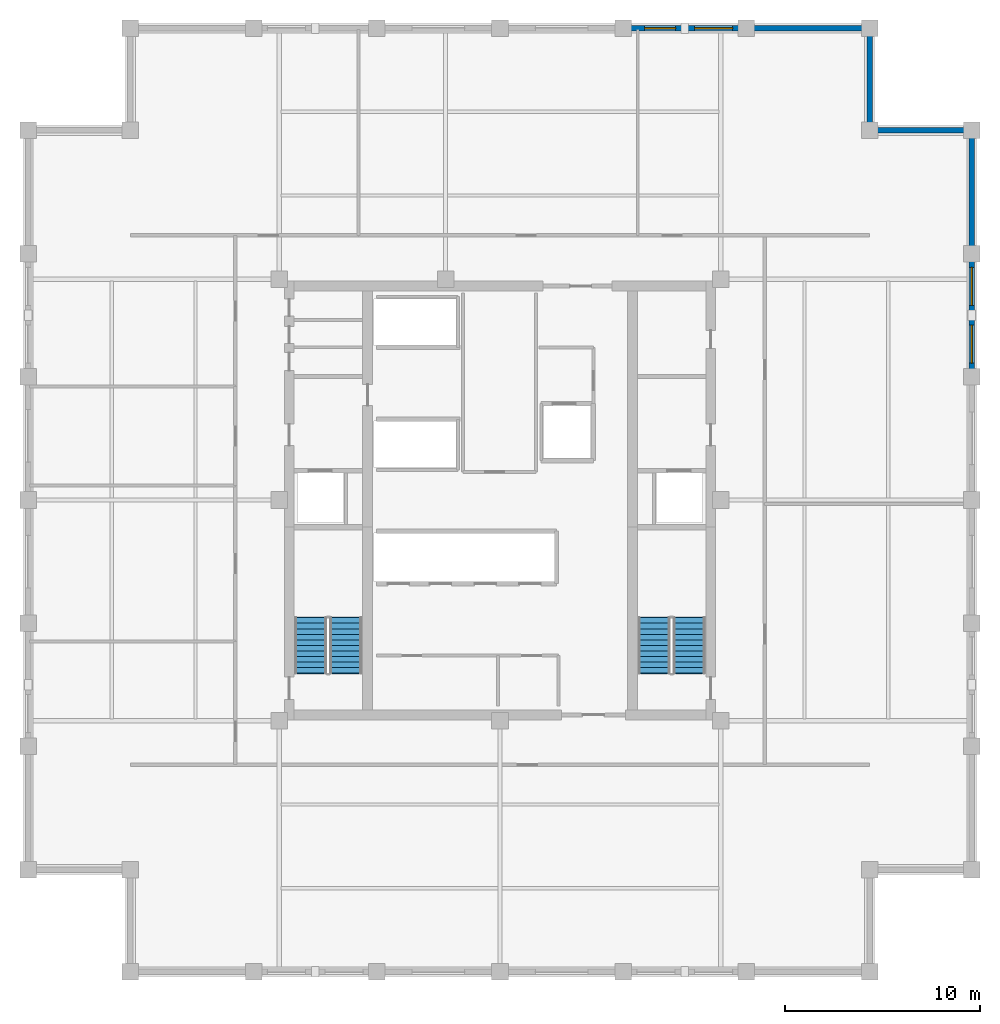
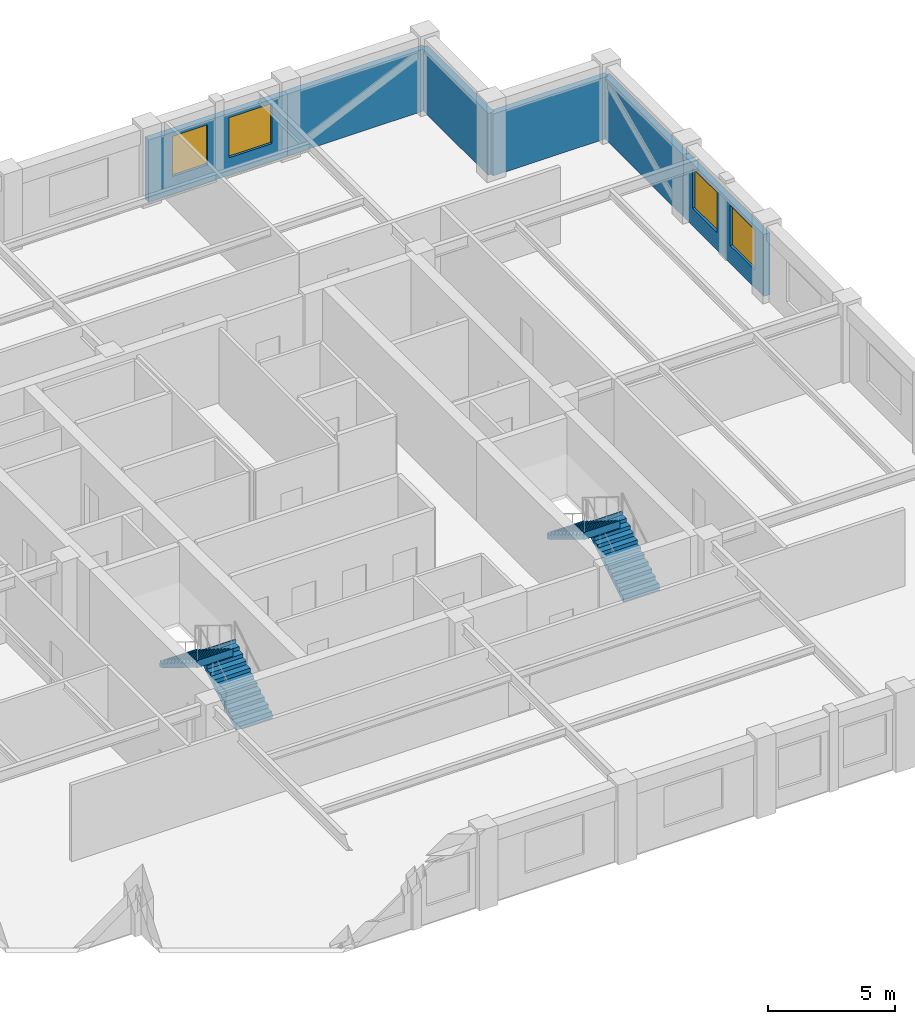
# One storey, part 5 of 6: 6 walls, 4 stair flights, 4 windows, 4 openings, 2 elements without a shape of their own.
"""IFC4 building model written with IfcOpenShell, lengths in metres."""

from ifc_helpers import new_model, si_unit, direction, frame, frame_2d, origin, place, context, subcontext, project, spatial, polyline, rectangle, outline, extrude, material, layer, layer_set, type_object, element, fill, aggregate, save


model = new_model("IFC4")

# Units and contexts
model_context = context("Model", 3, precision=1e-05, world=origin(), true_north=direction((0.0, 1.0)))
body_context = subcontext(model_context, "Body", "Model", "MODEL_VIEW")
ifc_project = project(units=[si_unit("LENGTHUNIT", "METRE"), si_unit("AREAUNIT", "SQUARE_METRE"), si_unit("VOLUMEUNIT", "CUBIC_METRE"), si_unit("PLANEANGLEUNIT", "RADIAN"), si_unit("MASSUNIT", "GRAM", prefix="KILO")], contexts=[model_context])

# Site, building, storey
site_placement = place(None, origin())
site = spatial("IfcSite", under=ifc_project, at=site_placement, CompositionType="ELEMENT")
building_placement = place(site_placement, origin())
building = spatial("IfcBuilding", under=site, at=building_placement, Name="Nhamokura Convention Tower", CompositionType="ELEMENT")
storey_placement = place(building_placement, frame((0.0, 0.0, 194.60009765625)))
storey = spatial("IfcBuildingStorey", under=building, at=storey_placement, Name="L47", CompositionType="ELEMENT", Elevation=194.60009765625)

# Wall, openings, windows
ifc_material_1 = material(Name="Bronze-pigmented precast concrete C45/55", Category="concrete")
ifc_layer = layer(ifc_material_1, 0.280029296875)
ifc_layer_set = layer_set([ifc_layer], Name="BronzePrecastSpandrel_280")
wall_type = type_object("IfcWallType", Name="BronzePrecastSpandrel_280", PredefinedType="USERDEFINED", material=ifc_layer_set)
wall_1_placement = place(storey_placement, frame((38.333251953125, 56.25, 0.0), z_axis=(0.0, 0.0, 1.0), x_axis=(1.0, 0.0, 0.0)))
wall_1 = element("IfcWall", 1, at=wall_1_placement, inside=storey, type_object=wall_type, Name="L47 Masonry-Frame Wall NORTH 4", ObjectType="SPANDREL_WALL", PredefinedType="USERDEFINED", context=body_context, shape_type="SweptSolid", body=[
    extrude(rectangle(XDim=6.33349609375, YDim=0.280029296875, at=frame_2d((3.166748046875, 0.0))), origin(), (0.0, 0.0, 1.0), 2.98486328125),
])
opening_1_placement = place(wall_1_placement, frame((1.095703125, 0.0, 0.85009765625)))
opening_1 = element("IfcOpeningElement", 2, at=opening_1_placement, cuts=wall_1, Name="Opening W-11", PredefinedType="OPENING", context=body_context, shape_type="SweptSolid", body=[
    extrude(rectangle(XDim=1.60009765625, YDim=1.93505859375, at=frame_2d((0.800048828125, 0.967529296875))), frame((0.0, 0.14990234375, 0.0), z_axis=(0.0, -1.0, 0.0), x_axis=(1.0, 0.0, 0.0)), (0.0, 0.0, 1.0), 0.300048828125),
])
opening_2_placement = place(wall_1_placement, frame((3.675048828125, 0.0, 0.85009765625)))
opening_2 = element("IfcOpeningElement", 3, at=opening_2_placement, cuts=wall_1, Name="Opening W-08", PredefinedType="OPENING", context=body_context, shape_type="SweptSolid", body=[
    extrude(rectangle(XDim=1.949951171875, YDim=1.93505859375, at=frame_2d((0.97509765625, 0.967529296875))), frame((0.0, 0.14990234375, 0.0), z_axis=(0.0, -1.0, 0.0), x_axis=(1.0, 0.0, 0.0)), (0.0, 0.0, 1.0), 0.300048828125),
])
ifc_material_2 = material(Name="Solar-control bronze low-E double glass", Category="glass")
window_type_1 = type_object("IfcWindowType", Name="NotchCornerWindow_1600", PartitioningType="SINGLE_PANEL", PredefinedType="WINDOW", material=ifc_material_2)
window_1_placement = place(opening_1_placement, origin())
window_1 = element("IfcWindow", 4, at=window_1_placement, inside=storey, type_object=window_type_1, Name="L47 Facade Window NORTH 4-1", OverallHeight=1.93505859375, OverallWidth=1.60009765625, PartitioningType="SINGLE_PANEL", PredefinedType="WINDOW", context=body_context, shape_type="SweptSolid", body=[
    extrude(rectangle(XDim=1.60009765625, YDim=1.93505859375, at=frame_2d((0.800048828125, 0.967529296875))), frame((0.0, 0.030029296875, 0.0), z_axis=(0.0, -1.0, 0.0), x_axis=(1.0, 0.0, 0.0)), (0.0, 0.0, 1.0), 0.06005859375),
])
fill(opening_1, window_1)
ifc_material_3 = material(Name="Solar-control bronze low-E double glass", Category="glass")
window_type_2 = type_object("IfcWindowType", Name="OfficeModuleWindow_Z3_1950", PartitioningType="SINGLE_PANEL", PredefinedType="WINDOW", material=ifc_material_3)
window_2_placement = place(opening_2_placement, origin())
window_2 = element("IfcWindow", 5, at=window_2_placement, inside=storey, type_object=window_type_2, Name="L47 Facade Window NORTH 4-2", OverallHeight=1.93505859375, OverallWidth=1.949951171875, PartitioningType="SINGLE_PANEL", PredefinedType="WINDOW", context=body_context, shape_type="SweptSolid", body=[
    extrude(rectangle(XDim=1.949951171875, YDim=1.93505859375, at=frame_2d((0.97509765625, 0.967529296875))), frame((0.0, 0.030029296875, 0.0), z_axis=(0.0, -1.0, 0.0), x_axis=(1.0, 0.0, 0.0)), (0.0, 0.0, 1.0), 0.06005859375),
])
fill(opening_2, window_2)

# Wall
wall_2_placement = place(storey_placement, frame((44.666748046875, 56.25, 0.0), z_axis=(0.0, 0.0, 1.0), x_axis=(1.0, 0.0, 0.0)))
element("IfcWall", 6, at=wall_2_placement, inside=storey, type_object=wall_type, Name="L47 Braced-Bay Precast Wall NORTH 5", ObjectType="SPANDREL_WALL", PredefinedType="USERDEFINED", context=body_context, shape_type="SweptSolid", body=[
    extrude(rectangle(XDim=6.333251953125, YDim=0.280029296875, at=frame_2d((3.16650390625, 0.0))), origin(), (0.0, 0.0, 1.0), 2.98486328125),
])

# Wall, openings, windows
wall_3_placement = place(storey_placement, frame((56.25, 44.666748046875, 0.0), z_axis=(0.0, 0.0, 1.0), x_axis=(0.0, -1.0, 0.0)))
wall_3 = element("IfcWall", 7, at=wall_3_placement, inside=storey, type_object=wall_type, Name="L47 Masonry-Frame Wall EAST 4", ObjectType="SPANDREL_WALL", PredefinedType="USERDEFINED", context=body_context, shape_type="SweptSolid", body=[
    extrude(rectangle(XDim=6.33349609375, YDim=0.280029296875, at=frame_2d((3.166748046875, 0.0))), origin(), (0.0, 0.0, 1.0), 2.98486328125),
])
opening_3_placement = place(wall_3_placement, frame((0.708251953125, 0.0, 0.85009765625)))
opening_3 = element("IfcOpeningElement", 8, at=opening_3_placement, cuts=wall_3, Name="Opening W-08", PredefinedType="OPENING", context=body_context, shape_type="SweptSolid", body=[
    extrude(rectangle(XDim=1.949951171875, YDim=1.93505859375, at=frame_2d((0.97509765625, 0.967529296875))), frame((0.0, 0.14990234375, 0.0), z_axis=(0.0, -1.0, 0.0), x_axis=(1.0, 0.0, 0.0)), (0.0, 0.0, 1.0), 0.300048828125),
])
opening_4_placement = place(wall_3_placement, frame((3.675048828125, 0.0, 0.85009765625)))
opening_4 = element("IfcOpeningElement", 9, at=opening_4_placement, cuts=wall_3, Name="Opening W-08", PredefinedType="OPENING", context=body_context, shape_type="SweptSolid", body=[
    extrude(rectangle(XDim=1.949951171875, YDim=1.93505859375, at=frame_2d((0.97509765625, 0.967529296875))), frame((0.0, 0.14990234375, 0.0), z_axis=(0.0, -1.0, 0.0), x_axis=(1.0, 0.0, 0.0)), (0.0, 0.0, 1.0), 0.300048828125),
])
window_3_placement = place(opening_3_placement, origin())
window_3 = element("IfcWindow", 10, at=window_3_placement, inside=storey, type_object=window_type_2, Name="L47 Facade Window EAST 4-1", OverallHeight=1.93505859375, OverallWidth=1.949951171875, PartitioningType="SINGLE_PANEL", PredefinedType="WINDOW", context=body_context, shape_type="SweptSolid", body=[
    extrude(rectangle(XDim=1.949951171875, YDim=1.93505859375, at=frame_2d((0.97509765625, 0.967529296875))), frame((0.0, 0.030029296875, 0.0), z_axis=(0.0, -1.0, 0.0), x_axis=(1.0, 0.0, 0.0)), (0.0, 0.0, 1.0), 0.06005859375),
])
fill(opening_3, window_3)
window_4_placement = place(opening_4_placement, origin())
window_4 = element("IfcWindow", 11, at=window_4_placement, inside=storey, type_object=window_type_2, Name="L47 Facade Window EAST 4-2", OverallHeight=1.93505859375, OverallWidth=1.949951171875, PartitioningType="SINGLE_PANEL", PredefinedType="WINDOW", context=body_context, shape_type="SweptSolid", body=[
    extrude(rectangle(XDim=1.949951171875, YDim=1.93505859375, at=frame_2d((0.97509765625, 0.967529296875))), frame((0.0, 0.030029296875, 0.0), z_axis=(0.0, -1.0, 0.0), x_axis=(1.0, 0.0, 0.0)), (0.0, 0.0, 1.0), 0.06005859375),
])
fill(opening_4, window_4)

# Walls
wall_4_placement = place(storey_placement, frame((56.25, 51.0, 0.0), z_axis=(0.0, 0.0, 1.0), x_axis=(0.0, -1.0, 0.0)))
element("IfcWall", 12, at=wall_4_placement, inside=storey, type_object=wall_type, Name="L47 Braced-Bay Precast Wall EAST 5", ObjectType="SPANDREL_WALL", PredefinedType="USERDEFINED", context=body_context, shape_type="SweptSolid", body=[
    extrude(rectangle(XDim=6.333251953125, YDim=0.280029296875, at=frame_2d((3.16650390625, 0.0))), origin(), (0.0, 0.0, 1.0), 2.98486328125),
])
for number, where, z_axis, x_axis, name in (
    (13, (51.0, 51.0, 0.0), (0.0, 0.0, 1.0), (1.0, 0.0, 0.0), "L47 Notched Corner Wall NE1"),
    (14, (51.0, 56.25, 0.0), (0.0, 0.0, 1.0), (0.0, -1.0, 0.0), "L47 Notched Corner Wall NE2"),
):
    element("IfcWall", number, at=place(storey_placement, frame(where, z_axis=z_axis, x_axis=x_axis)), inside=storey, type_object=wall_type, Name=name, ObjectType="SPANDREL_WALL", PredefinedType="USERDEFINED", context=body_context, shape_type="SweptSolid", body=[
        extrude(rectangle(XDim=5.25, YDim=0.280029296875, at=frame_2d((2.625, 0.0))), origin(), (0.0, 0.0, 1.0), 2.98486328125),
    ])

# Stair, stair flights
ifc_material_4 = material(Name="Concrete C40/50", Category="concrete")
stair_type = type_object("IfcStairType", Name="TowerCoreStair_1650", PredefinedType="HALF_TURN_STAIR", material=ifc_material_4)
stair_1_placement = place(storey_placement, origin())
stair_1 = element("IfcStair", 15, at=stair_1_placement, inside=storey, type_object=stair_type, Name="L47 West Core Smokeproof Stair ST-01", PredefinedType="HALF_TURN_STAIR")
ifc_material_5 = material(Name="Concrete C40/50", Category="concrete")
stair_flight_type = type_object("IfcStairFlightType", Name="TowerCoreStair_1650_Flight", PredefinedType="STRAIGHT", material=ifc_material_5)
stair_flight_1_placement = place(storey_placement, frame((24.074951171875, 23.10009765625, 0.0), z_axis=(0.0, 0.0, 1.0), x_axis=(0.0, 1.0, 0.0)))
stair_flight_1 = element("IfcStairFlight", 16, at=stair_flight_1_placement, type_object=stair_flight_type, Name="ST-01 flight 1", NumberOfRisers=11, NumberOfTreads=10, PredefinedType="STRAIGHT", RiserHeight=0.175, TreadLength=0.285, context=body_context, shape_type="SweptSolid", body=[
    extrude(outline(polyline([(-0.0419921875, 0.0), (0.0, 0.175048828125), (0.284912109375, 0.175048828125), (0.284912109375, 0.35009765625), (0.570068359375, 0.35009765625), (0.570068359375, 0.52490234375), (0.85498046875, 0.52490234375), (0.85498046875, 0.699951171875), (1.139892578125, 0.699951171875), (1.139892578125, 0.875), (1.425048828125, 0.875), (1.425048828125, 1.050048828125), (1.7099609375, 1.050048828125), (1.7099609375, 1.22509765625), (1.9951171875, 1.22509765625), (1.9951171875, 1.39990234375), (2.280029296875, 1.39990234375), (2.280029296875, 1.574951171875), (2.56494140625, 1.574951171875), (2.56494140625, 1.75), (2.85009765625, 1.75), (2.85009765625, 1.925048828125), (2.89208984375, 1.925048828125), (2.89208984375, 1.573974609375), (2.85009765625, 1.573974609375), (0.286376953125, 0.0), (0.02001953125, -0.1298828125), (-0.0419921875, -0.1298828125), (-0.0419921875, 0.0)])), frame((0.0, 0.824951171875, 0.0), z_axis=(0.0, -1.0, 0.0), x_axis=(1.0, 0.0, 0.0)), (0.0, 0.0, 1.0), 1.64990234375),
])
stair_flight_2_placement = place(storey_placement, frame((22.27490234375, 25.949951171875, 1.9248046875), z_axis=(0.0, 0.0, 1.0), x_axis=(0.0, -1.0, 0.0)))
stair_flight_2 = element("IfcStairFlight", 17, at=stair_flight_2_placement, type_object=stair_flight_type, Name="ST-01 flight 2", NumberOfRisers=11, NumberOfTreads=10, PredefinedType="STRAIGHT", RiserHeight=0.175, TreadLength=0.285, context=body_context, shape_type="SweptSolid", body=[
    extrude(outline(polyline([(-0.0419921875, 0.0), (0.0, 0.175048828125), (0.284912109375, 0.175048828125), (0.284912109375, 0.35009765625), (0.570068359375, 0.35009765625), (0.570068359375, 0.52490234375), (0.85498046875, 0.52490234375), (0.85498046875, 0.699951171875), (1.139892578125, 0.699951171875), (1.139892578125, 0.875), (1.425048828125, 0.875), (1.425048828125, 1.050048828125), (1.7099609375, 1.050048828125), (1.7099609375, 1.22509765625), (1.9951171875, 1.22509765625), (1.9951171875, 1.39990234375), (2.280029296875, 1.39990234375), (2.280029296875, 1.574951171875), (2.56494140625, 1.574951171875), (2.56494140625, 1.75), (2.85009765625, 1.75), (2.85009765625, 1.925048828125), (2.89208984375, 1.925048828125), (2.89208984375, 1.573974609375), (2.85009765625, 1.573974609375), (0.286376953125, 0.0), (0.02001953125, -0.1298828125), (-0.0419921875, -0.1298828125), (-0.0419921875, 0.0)])), frame((0.0, 0.824951171875, 0.0), z_axis=(0.0, -1.0, 0.0), x_axis=(1.0, 0.0, 0.0)), (0.0, 0.0, 1.0), 1.64990234375),
])
aggregate(stair_1, [stair_flight_1, stair_flight_2])

stair_2_placement = place(storey_placement, origin())
stair_2 = element("IfcStair", 18, at=stair_2_placement, inside=storey, type_object=stair_type, Name="L47 East Core Smokeproof Stair ST-02", PredefinedType="HALF_TURN_STAIR")
stair_flight_3_placement = place(storey_placement, frame((41.72509765625, 23.10009765625, 0.0), z_axis=(0.0, 0.0, 1.0), x_axis=(0.0, 1.0, 0.0)))
stair_flight_3 = element("IfcStairFlight", 19, at=stair_flight_3_placement, type_object=stair_flight_type, Name="ST-02 flight 1", NumberOfRisers=11, NumberOfTreads=10, PredefinedType="STRAIGHT", RiserHeight=0.175, TreadLength=0.285, context=body_context, shape_type="SweptSolid", body=[
    extrude(outline(polyline([(-0.0419921875, 0.0), (0.0, 0.175048828125), (0.284912109375, 0.175048828125), (0.284912109375, 0.35009765625), (0.570068359375, 0.35009765625), (0.570068359375, 0.52490234375), (0.85498046875, 0.52490234375), (0.85498046875, 0.699951171875), (1.139892578125, 0.699951171875), (1.139892578125, 0.875), (1.425048828125, 0.875), (1.425048828125, 1.050048828125), (1.7099609375, 1.050048828125), (1.7099609375, 1.22509765625), (1.9951171875, 1.22509765625), (1.9951171875, 1.39990234375), (2.280029296875, 1.39990234375), (2.280029296875, 1.574951171875), (2.56494140625, 1.574951171875), (2.56494140625, 1.75), (2.85009765625, 1.75), (2.85009765625, 1.925048828125), (2.89208984375, 1.925048828125), (2.89208984375, 1.573974609375), (2.85009765625, 1.573974609375), (0.286376953125, 0.0), (0.02001953125, -0.1298828125), (-0.0419921875, -0.1298828125), (-0.0419921875, 0.0)])), frame((0.0, 0.824951171875, 0.0), z_axis=(0.0, -1.0, 0.0), x_axis=(1.0, 0.0, 0.0)), (0.0, 0.0, 1.0), 1.64990234375),
])
stair_flight_4_placement = place(storey_placement, frame((39.925048828125, 25.949951171875, 1.9248046875), z_axis=(0.0, 0.0, 1.0), x_axis=(0.0, -1.0, 0.0)))
stair_flight_4 = element("IfcStairFlight", 20, at=stair_flight_4_placement, type_object=stair_flight_type, Name="ST-02 flight 2", NumberOfRisers=11, NumberOfTreads=10, PredefinedType="STRAIGHT", RiserHeight=0.175, TreadLength=0.285, context=body_context, shape_type="SweptSolid", body=[
    extrude(outline(polyline([(-0.0419921875, 0.0), (0.0, 0.175048828125), (0.284912109375, 0.175048828125), (0.284912109375, 0.35009765625), (0.570068359375, 0.35009765625), (0.570068359375, 0.52490234375), (0.85498046875, 0.52490234375), (0.85498046875, 0.699951171875), (1.139892578125, 0.699951171875), (1.139892578125, 0.875), (1.425048828125, 0.875), (1.425048828125, 1.050048828125), (1.7099609375, 1.050048828125), (1.7099609375, 1.22509765625), (1.9951171875, 1.22509765625), (1.9951171875, 1.39990234375), (2.280029296875, 1.39990234375), (2.280029296875, 1.574951171875), (2.56494140625, 1.574951171875), (2.56494140625, 1.75), (2.85009765625, 1.75), (2.85009765625, 1.925048828125), (2.89208984375, 1.925048828125), (2.89208984375, 1.573974609375), (2.85009765625, 1.573974609375), (0.286376953125, 0.0), (0.02001953125, -0.1298828125), (-0.0419921875, -0.1298828125), (-0.0419921875, 0.0)])), frame((0.0, 0.824951171875, 0.0), z_axis=(0.0, -1.0, 0.0), x_axis=(1.0, 0.0, 0.0)), (0.0, 0.0, 1.0), 1.64990234375),
])
aggregate(stair_2, [stair_flight_3, stair_flight_4])

save(model, "model.ifc")
